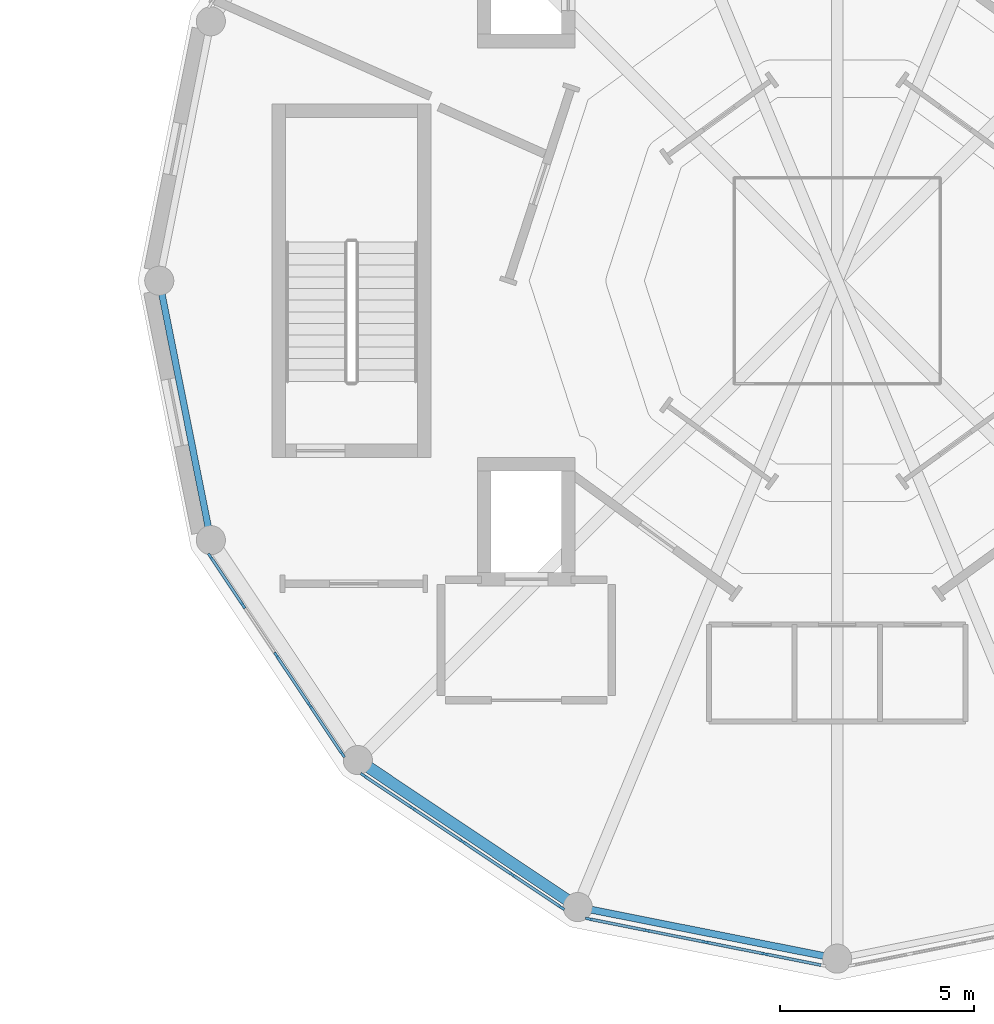
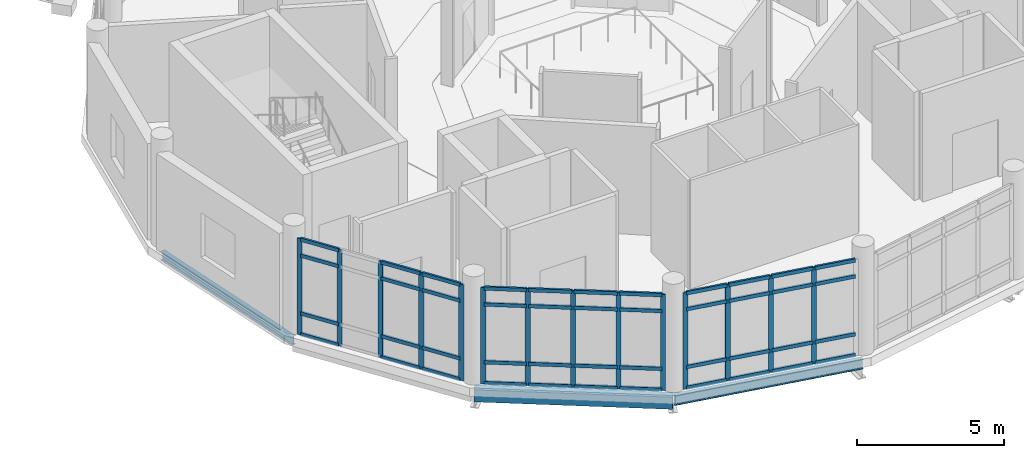
# One storey, part 5 of 27: 58 members, 3 beams, 3 elements without a shape of their own.
"""IFC4 building model written with IfcOpenShell, lengths in metres."""

from ifc_helpers import new_model, si_unit, direction, frame, origin, origin_2d, place, context, subcontext, project, spatial, rectangle, i_section, extrude, material, material_profile, profile_set, type_object, element, aggregate, save


model = new_model("IFC4")

# Units and contexts
model_context = context("Model", 3, precision=1e-05, world=origin(), true_north=direction((0.0, 1.0)))
body_context = subcontext(model_context, "Body", "Model", "MODEL_VIEW")
ifc_project = project(units=[si_unit("LENGTHUNIT", "METRE"), si_unit("AREAUNIT", "SQUARE_METRE"), si_unit("VOLUMEUNIT", "CUBIC_METRE"), si_unit("PLANEANGLEUNIT", "RADIAN"), si_unit("MASSUNIT", "GRAM", prefix="KILO")], contexts=[model_context])

# Site, building, storey
site_placement = place(None, origin())
site = spatial("IfcSite", under=ifc_project, at=site_placement, CompositionType="ELEMENT")
building_placement = place(site_placement, origin())
building = spatial("IfcBuilding", under=site, at=building_placement, Name="Soyqirgoq Riverine Aquarium", CompositionType="ELEMENT")
storey_placement = place(building_placement, frame((0.0, 0.0, 19.800048828125)))
storey = spatial("IfcBuildingStorey", under=building, at=storey_placement, Name="L05", CompositionType="ELEMENT", Elevation=19.800048828125)

# Curtain wall, members
ifc_material_1 = material(Name="Anodised aluminium thermally broken triple low-E glazing", Category="aluminium")
curtain_wall_type = type_object("IfcCurtainWallType", Name="CW_DrumGallery_Unitised", PredefinedType="NOTDEFINED", material=ifc_material_1)
curtain_wall_1_placement = place(storey_placement, origin())
curtain_wall_1 = element("IfcCurtainWall", 1, at=curtain_wall_1_placement, inside=storey, type_object=curtain_wall_type, Name="V1 L05 Curtain Wall 038", PredefinedType="NOTDEFINED")
ifc_material_2 = material(Name="Anodised aluminium 6063-T6", Category="aluminium")
ifc_material_profile_1 = material_profile(ifc_material_2, rectangle(XDim=0.06494140625, YDim=0.179931640625, at=origin_2d()), Name="ALU-M 65x180")
ifc_profile_set_1 = profile_set([ifc_material_profile_1], Name="Anodised aluminium 6063-T6")
member_type_1 = type_object("IfcMemberType", Name="CWMullion_65x180", PredefinedType="MULLION", material=ifc_profile_set_1)
member_1_placement = place(storey_placement, frame((39.8642578125, 49.90185546875, 0.0), z_axis=(0.0, 0.0, 1.0), x_axis=(0.831475717779, 0.55556109542, 0.0)))
member_1 = element("IfcMember", 2, at=member_1_placement, type_object=member_type_1, Name="CW-01 mullion 1", PredefinedType="MULLION", context=body_context, shape_type="SweptSolid", body=[
    extrude(rectangle(XDim=0.06494140625, YDim=0.179931640625, at=origin_2d()), origin(), (0.0, 0.0, 1.0), 4.0),
])
member_2_placement = place(storey_placement, frame((40.7060546875, 48.64208984375, 0.0), z_axis=(0.0, 0.0, 1.0), x_axis=(0.831475717779, 0.55556109542, 0.0)))
member_2 = element("IfcMember", 3, at=member_2_placement, type_object=member_type_1, Name="CW-01 mullion 2", PredefinedType="MULLION", context=body_context, shape_type="SweptSolid", body=[
    extrude(rectangle(XDim=0.06494140625, YDim=0.179931640625, at=origin_2d()), origin(), (0.0, 0.0, 1.0), 4.0),
])
member_3_placement = place(storey_placement, frame((41.565673828125, 47.35546875, 0.0), z_axis=(0.0, 0.0, 1.0), x_axis=(0.831475717779, 0.55556109542, 0.0)))
member_3 = element("IfcMember", 4, at=member_3_placement, type_object=member_type_1, Name="CW-01 mullion 3", PredefinedType="MULLION", context=body_context, shape_type="SweptSolid", body=[
    extrude(rectangle(XDim=0.06494140625, YDim=0.179931640625, at=origin_2d()), origin(), (0.0, 0.0, 1.0), 4.0),
])
member_4_placement = place(storey_placement, frame((42.425537109375, 46.068603515625, 0.0), z_axis=(0.0, 0.0, 1.0), x_axis=(0.831475717779, 0.55556109542, 0.0)))
member_4 = element("IfcMember", 5, at=member_4_placement, type_object=member_type_1, Name="CW-01 mullion 4", PredefinedType="MULLION", context=body_context, shape_type="SweptSolid", body=[
    extrude(rectangle(XDim=0.06494140625, YDim=0.179931640625, at=origin_2d()), origin(), (0.0, 0.0, 1.0), 4.0),
])
member_5_placement = place(storey_placement, frame((43.26708984375, 44.80908203125, 0.0), z_axis=(0.0, 0.0, 1.0), x_axis=(0.831475717779, 0.55556109542, 0.0)))
member_5 = element("IfcMember", 6, at=member_5_placement, type_object=member_type_1, Name="CW-01 mullion 5", PredefinedType="MULLION", context=body_context, shape_type="SweptSolid", body=[
    extrude(rectangle(XDim=0.06494140625, YDim=0.179931640625, at=origin_2d()), origin(), (0.0, 0.0, 1.0), 4.0),
])

curtain_wall_2_placement = place(storey_placement, origin())
curtain_wall_2 = element("IfcCurtainWall", 7, at=curtain_wall_2_placement, inside=storey, type_object=curtain_wall_type, Name="V1 L05 Curtain Wall 045", PredefinedType="NOTDEFINED")
member_6_placement = place(storey_placement, frame((43.80908203125, 44.26708984375, 0.0), z_axis=(0.0, 0.0, 1.0), x_axis=(0.55556109542, 0.831475717779, 0.0)))
member_6 = element("IfcMember", 8, at=member_6_placement, type_object=member_type_1, Name="CW-01 mullion 1", PredefinedType="MULLION", context=body_context, shape_type="SweptSolid", body=[
    extrude(rectangle(XDim=0.06494140625, YDim=0.179931640625, at=origin_2d()), origin(), (0.0, 0.0, 1.0), 4.0),
])
member_7_placement = place(storey_placement, frame((45.068603515625, 43.425537109375, 0.0), z_axis=(0.0, 0.0, 1.0), x_axis=(0.55556109542, 0.831475717779, 0.0)))
member_7 = element("IfcMember", 9, at=member_7_placement, type_object=member_type_1, Name="CW-01 mullion 2", PredefinedType="MULLION", context=body_context, shape_type="SweptSolid", body=[
    extrude(rectangle(XDim=0.06494140625, YDim=0.179931640625, at=origin_2d()), origin(), (0.0, 0.0, 1.0), 4.0),
])
member_8_placement = place(storey_placement, frame((46.35546875, 42.565673828125, 0.0), z_axis=(0.0, 0.0, 1.0), x_axis=(0.55556109542, 0.831475717779, 0.0)))
member_8 = element("IfcMember", 10, at=member_8_placement, type_object=member_type_1, Name="CW-01 mullion 3", PredefinedType="MULLION", context=body_context, shape_type="SweptSolid", body=[
    extrude(rectangle(XDim=0.06494140625, YDim=0.179931640625, at=origin_2d()), origin(), (0.0, 0.0, 1.0), 4.0),
])
member_9_placement = place(storey_placement, frame((47.64208984375, 41.7060546875, 0.0), z_axis=(0.0, 0.0, 1.0), x_axis=(0.55556109542, 0.831475717779, 0.0)))
member_9 = element("IfcMember", 11, at=member_9_placement, type_object=member_type_1, Name="CW-01 mullion 4", PredefinedType="MULLION", context=body_context, shape_type="SweptSolid", body=[
    extrude(rectangle(XDim=0.06494140625, YDim=0.179931640625, at=origin_2d()), origin(), (0.0, 0.0, 1.0), 4.0),
])
member_10_placement = place(storey_placement, frame((48.90185546875, 40.8642578125, 0.0), z_axis=(0.0, 0.0, 1.0), x_axis=(0.55556109542, 0.831475717779, 0.0)))
member_10 = element("IfcMember", 12, at=member_10_placement, type_object=member_type_1, Name="CW-01 mullion 5", PredefinedType="MULLION", context=body_context, shape_type="SweptSolid", body=[
    extrude(rectangle(XDim=0.06494140625, YDim=0.179931640625, at=origin_2d()), origin(), (0.0, 0.0, 1.0), 4.0),
])

curtain_wall_3_placement = place(storey_placement, origin())
curtain_wall_3 = element("IfcCurtainWall", 13, at=curtain_wall_3_placement, inside=storey, type_object=curtain_wall_type, Name="V1 L05 Curtain Wall 052", PredefinedType="NOTDEFINED")
member_11_placement = place(storey_placement, frame((49.609619140625, 40.571044921875, 0.0), z_axis=(0.0, 0.0, 1.0), x_axis=(0.19507834152, 0.980787663396, 0.0)))
member_11 = element("IfcMember", 14, at=member_11_placement, type_object=member_type_1, Name="CW-01 mullion 1", PredefinedType="MULLION", context=body_context, shape_type="SweptSolid", body=[
    extrude(rectangle(XDim=0.06494140625, YDim=0.179931640625, at=origin_2d()), origin(), (0.0, 0.0, 1.0), 4.0),
])
member_12_placement = place(storey_placement, frame((51.095458984375, 40.275634765625, 0.0), z_axis=(0.0, 0.0, 1.0), x_axis=(0.19507834152, 0.980787663396, 0.0)))
member_12 = element("IfcMember", 15, at=member_12_placement, type_object=member_type_1, Name="CW-01 mullion 2", PredefinedType="MULLION", context=body_context, shape_type="SweptSolid", body=[
    extrude(rectangle(XDim=0.06494140625, YDim=0.179931640625, at=origin_2d()), origin(), (0.0, 0.0, 1.0), 4.0),
])
member_13_placement = place(storey_placement, frame((52.61328125, 39.9736328125, 0.0), z_axis=(0.0, 0.0, 1.0), x_axis=(0.19507834152, 0.980787663396, 0.0)))
member_13 = element("IfcMember", 16, at=member_13_placement, type_object=member_type_1, Name="CW-01 mullion 3", PredefinedType="MULLION", context=body_context, shape_type="SweptSolid", body=[
    extrude(rectangle(XDim=0.06494140625, YDim=0.179931640625, at=origin_2d()), origin(), (0.0, 0.0, 1.0), 4.0),
])
member_14_placement = place(storey_placement, frame((54.130859375, 39.671875, 0.0), z_axis=(0.0, 0.0, 1.0), x_axis=(0.19507834152, 0.980787663396, 0.0)))
member_14 = element("IfcMember", 17, at=member_14_placement, type_object=member_type_1, Name="CW-01 mullion 4", PredefinedType="MULLION", context=body_context, shape_type="SweptSolid", body=[
    extrude(rectangle(XDim=0.06494140625, YDim=0.179931640625, at=origin_2d()), origin(), (0.0, 0.0, 1.0), 4.0),
])

# Member
ifc_material_3 = material(Name="Anodised aluminium 6063-T6", Category="aluminium")
ifc_material_profile_2 = material_profile(ifc_material_3, rectangle(XDim=0.074951171875, YDim=0.14990234375, at=origin_2d()), Name="ALU-T 75x150")
ifc_profile_set_2 = profile_set([ifc_material_profile_2], Name="Anodised aluminium 6063-T6")
member_type_2 = type_object("IfcMemberType", Name="CWTransom_75x150", PredefinedType="USERDEFINED", material=ifc_profile_set_2)
member_15_placement = place(storey_placement, frame((39.88232421875, 49.874755859375, 0.037353515625), z_axis=(0.555632377709, -0.831428085189, 0.0), x_axis=(0.831428085189, 0.555632377709, 0.0)))
member_15 = element("IfcMember", 18, at=member_15_placement, type_object=member_type_2, Name="CW-01 transom 1.1", ObjectType="TRANSOM", PredefinedType="USERDEFINED", context=body_context, shape_type="SweptSolid", body=[
    extrude(rectangle(XDim=0.074951171875, YDim=0.14990234375, at=origin_2d()), origin(), (0.0, 0.0, 1.0), 1.449951171875),
])

member_16_placement = place(storey_placement, frame((39.88232421875, 49.874755859375, 0.89990234375), z_axis=(0.555632377709, -0.831428085189, 0.0), x_axis=(0.831428085189, 0.555632377709, 0.0)))
member_16 = element("IfcMember", 19, at=member_16_placement, type_object=member_type_2, Name="CW-01 transom 1.2", ObjectType="TRANSOM", PredefinedType="USERDEFINED", context=body_context, shape_type="SweptSolid", body=[
    extrude(rectangle(XDim=0.074951171875, YDim=0.14990234375, at=origin_2d()), origin(), (0.0, 0.0, 1.0), 1.449951171875),
])

member_17_placement = place(storey_placement, frame((39.88232421875, 49.874755859375, 3.300048828125), z_axis=(0.555632377709, -0.831428085189, 0.0), x_axis=(0.831428085189, 0.555632377709, 0.0)))
member_17 = element("IfcMember", 20, at=member_17_placement, type_object=member_type_2, Name="CW-01 transom 1.3", ObjectType="TRANSOM", PredefinedType="USERDEFINED", context=body_context, shape_type="SweptSolid", body=[
    extrude(rectangle(XDim=0.074951171875, YDim=0.14990234375, at=origin_2d()), origin(), (0.0, 0.0, 1.0), 1.449951171875),
])

member_18_placement = place(storey_placement, frame((39.88232421875, 49.874755859375, 3.96240234375), z_axis=(0.555632377709, -0.831428085189, 0.0), x_axis=(0.831428085189, 0.555632377709, 0.0)))
member_18 = element("IfcMember", 21, at=member_18_placement, type_object=member_type_2, Name="CW-01 transom 1.4", ObjectType="TRANSOM", PredefinedType="USERDEFINED", context=body_context, shape_type="SweptSolid", body=[
    extrude(rectangle(XDim=0.074951171875, YDim=0.14990234375, at=origin_2d()), origin(), (0.0, 0.0, 1.0), 1.449951171875),
])

member_19_placement = place(storey_placement, frame((41.583740234375, 47.328369140625, 0.037353515625), z_axis=(0.555611906603, -0.831441765394, 0.0), x_axis=(0.831441765394, 0.555611906603, 0.0)))
member_19 = element("IfcMember", 22, at=member_19_placement, type_object=member_type_2, Name="CW-01 transom 3.1", ObjectType="TRANSOM", PredefinedType="USERDEFINED", context=body_context, shape_type="SweptSolid", body=[
    extrude(rectangle(XDim=0.074951171875, YDim=0.14990234375, at=origin_2d()), origin(), (0.0, 0.0, 1.0), 1.482666015625),
])

member_20_placement = place(storey_placement, frame((41.583740234375, 47.328369140625, 0.89990234375), z_axis=(0.555611906603, -0.831441765394, 0.0), x_axis=(0.831441765394, 0.555611906603, 0.0)))
member_20 = element("IfcMember", 23, at=member_20_placement, type_object=member_type_2, Name="CW-01 transom 3.2", ObjectType="TRANSOM", PredefinedType="USERDEFINED", context=body_context, shape_type="SweptSolid", body=[
    extrude(rectangle(XDim=0.074951171875, YDim=0.14990234375, at=origin_2d()), origin(), (0.0, 0.0, 1.0), 1.482666015625),
])

member_21_placement = place(storey_placement, frame((41.583740234375, 47.328369140625, 3.300048828125), z_axis=(0.555611906603, -0.831441765394, 0.0), x_axis=(0.831441765394, 0.555611906603, 0.0)))
member_21 = element("IfcMember", 24, at=member_21_placement, type_object=member_type_2, Name="CW-01 transom 3.3", ObjectType="TRANSOM", PredefinedType="USERDEFINED", context=body_context, shape_type="SweptSolid", body=[
    extrude(rectangle(XDim=0.074951171875, YDim=0.14990234375, at=origin_2d()), origin(), (0.0, 0.0, 1.0), 1.482666015625),
])

member_22_placement = place(storey_placement, frame((41.583740234375, 47.328369140625, 3.96240234375), z_axis=(0.555611906603, -0.831441765394, 0.0), x_axis=(0.831441765394, 0.555611906603, 0.0)))
member_22 = element("IfcMember", 25, at=member_22_placement, type_object=member_type_2, Name="CW-01 transom 3.4", ObjectType="TRANSOM", PredefinedType="USERDEFINED", context=body_context, shape_type="SweptSolid", body=[
    extrude(rectangle(XDim=0.074951171875, YDim=0.14990234375, at=origin_2d()), origin(), (0.0, 0.0, 1.0), 1.482666015625),
])

member_23_placement = place(storey_placement, frame((42.443603515625, 46.041748046875, 0.037353515625), z_axis=(0.555438196411, -0.831557821181, 0.0), x_axis=(0.831557821181, 0.555438196411, 0.0)))
member_23 = element("IfcMember", 26, at=member_23_placement, type_object=member_type_2, Name="CW-01 transom 4.1", ObjectType="TRANSOM", PredefinedType="USERDEFINED", context=body_context, shape_type="SweptSolid", body=[
    extrude(rectangle(XDim=0.074951171875, YDim=0.14990234375, at=origin_2d()), origin(), (0.0, 0.0, 1.0), 1.449951171875),
])

member_24_placement = place(storey_placement, frame((42.443603515625, 46.041748046875, 0.89990234375), z_axis=(0.555438196411, -0.831557821181, 0.0), x_axis=(0.831557821181, 0.555438196411, 0.0)))
member_24 = element("IfcMember", 27, at=member_24_placement, type_object=member_type_2, Name="CW-01 transom 4.2", ObjectType="TRANSOM", PredefinedType="USERDEFINED", context=body_context, shape_type="SweptSolid", body=[
    extrude(rectangle(XDim=0.074951171875, YDim=0.14990234375, at=origin_2d()), origin(), (0.0, 0.0, 1.0), 1.449951171875),
])

member_25_placement = place(storey_placement, frame((42.443603515625, 46.041748046875, 3.300048828125), z_axis=(0.555438196411, -0.831557821181, 0.0), x_axis=(0.831557821181, 0.555438196411, 0.0)))
member_25 = element("IfcMember", 28, at=member_25_placement, type_object=member_type_2, Name="CW-01 transom 4.3", ObjectType="TRANSOM", PredefinedType="USERDEFINED", context=body_context, shape_type="SweptSolid", body=[
    extrude(rectangle(XDim=0.074951171875, YDim=0.14990234375, at=origin_2d()), origin(), (0.0, 0.0, 1.0), 1.449951171875),
])

member_26_placement = place(storey_placement, frame((42.443603515625, 46.041748046875, 3.96240234375), z_axis=(0.555438196411, -0.831557821181, 0.0), x_axis=(0.831557821181, 0.555438196411, 0.0)))
member_26 = element("IfcMember", 29, at=member_26_placement, type_object=member_type_2, Name="CW-01 transom 4.4", ObjectType="TRANSOM", PredefinedType="USERDEFINED", context=body_context, shape_type="SweptSolid", body=[
    extrude(rectangle(XDim=0.074951171875, YDim=0.14990234375, at=origin_2d()), origin(), (0.0, 0.0, 1.0), 1.449951171875),
])

aggregate(curtain_wall_1, [member_1, member_2, member_3, member_4, member_5, member_15, member_16, member_17, member_18, member_19, member_20, member_21, member_22, member_23, member_24, member_25, member_26])

member_27_placement = place(storey_placement, frame((43.8359375, 44.2490234375, 0.037353515625), z_axis=(0.831557821181, -0.555438196411, 0.0), x_axis=(0.555438196411, 0.831557821181, 0.0)))
member_27 = element("IfcMember", 30, at=member_27_placement, type_object=member_type_2, Name="CW-01 transom 1.1", ObjectType="TRANSOM", PredefinedType="USERDEFINED", context=body_context, shape_type="SweptSolid", body=[
    extrude(rectangle(XDim=0.074951171875, YDim=0.14990234375, at=origin_2d()), origin(), (0.0, 0.0, 1.0), 1.449951171875),
])

member_28_placement = place(storey_placement, frame((43.8359375, 44.2490234375, 0.89990234375), z_axis=(0.831557821181, -0.555438196411, 0.0), x_axis=(0.555438196411, 0.831557821181, 0.0)))
member_28 = element("IfcMember", 31, at=member_28_placement, type_object=member_type_2, Name="CW-01 transom 1.2", ObjectType="TRANSOM", PredefinedType="USERDEFINED", context=body_context, shape_type="SweptSolid", body=[
    extrude(rectangle(XDim=0.074951171875, YDim=0.14990234375, at=origin_2d()), origin(), (0.0, 0.0, 1.0), 1.449951171875),
])

member_29_placement = place(storey_placement, frame((43.8359375, 44.2490234375, 3.300048828125), z_axis=(0.831557821181, -0.555438196411, 0.0), x_axis=(0.555438196411, 0.831557821181, 0.0)))
member_29 = element("IfcMember", 32, at=member_29_placement, type_object=member_type_2, Name="CW-01 transom 1.3", ObjectType="TRANSOM", PredefinedType="USERDEFINED", context=body_context, shape_type="SweptSolid", body=[
    extrude(rectangle(XDim=0.074951171875, YDim=0.14990234375, at=origin_2d()), origin(), (0.0, 0.0, 1.0), 1.449951171875),
])

member_30_placement = place(storey_placement, frame((43.8359375, 44.2490234375, 3.96240234375), z_axis=(0.831557821181, -0.555438196411, 0.0), x_axis=(0.555438196411, 0.831557821181, 0.0)))
member_30 = element("IfcMember", 33, at=member_30_placement, type_object=member_type_2, Name="CW-01 transom 1.4", ObjectType="TRANSOM", PredefinedType="USERDEFINED", context=body_context, shape_type="SweptSolid", body=[
    extrude(rectangle(XDim=0.074951171875, YDim=0.14990234375, at=origin_2d()), origin(), (0.0, 0.0, 1.0), 1.449951171875),
])

member_31_placement = place(storey_placement, frame((45.095703125, 43.407470703125, 0.037353515625), z_axis=(0.831441765394, -0.555611906603, 0.0), x_axis=(0.555611906603, 0.831441765394, 0.0)))
member_31 = element("IfcMember", 34, at=member_31_placement, type_object=member_type_2, Name="CW-01 transom 2.1", ObjectType="TRANSOM", PredefinedType="USERDEFINED", context=body_context, shape_type="SweptSolid", body=[
    extrude(rectangle(XDim=0.074951171875, YDim=0.14990234375, at=origin_2d()), origin(), (0.0, 0.0, 1.0), 1.482666015625),
])

member_32_placement = place(storey_placement, frame((45.095703125, 43.407470703125, 0.89990234375), z_axis=(0.831441765394, -0.555611906603, 0.0), x_axis=(0.555611906603, 0.831441765394, 0.0)))
member_32 = element("IfcMember", 35, at=member_32_placement, type_object=member_type_2, Name="CW-01 transom 2.2", ObjectType="TRANSOM", PredefinedType="USERDEFINED", context=body_context, shape_type="SweptSolid", body=[
    extrude(rectangle(XDim=0.074951171875, YDim=0.14990234375, at=origin_2d()), origin(), (0.0, 0.0, 1.0), 1.482666015625),
])

member_33_placement = place(storey_placement, frame((45.095703125, 43.407470703125, 3.300048828125), z_axis=(0.831441765394, -0.555611906603, 0.0), x_axis=(0.555611906603, 0.831441765394, 0.0)))
member_33 = element("IfcMember", 36, at=member_33_placement, type_object=member_type_2, Name="CW-01 transom 2.3", ObjectType="TRANSOM", PredefinedType="USERDEFINED", context=body_context, shape_type="SweptSolid", body=[
    extrude(rectangle(XDim=0.074951171875, YDim=0.14990234375, at=origin_2d()), origin(), (0.0, 0.0, 1.0), 1.482666015625),
])

member_34_placement = place(storey_placement, frame((45.095703125, 43.407470703125, 3.96240234375), z_axis=(0.831441765394, -0.555611906603, 0.0), x_axis=(0.555611906603, 0.831441765394, 0.0)))
member_34 = element("IfcMember", 37, at=member_34_placement, type_object=member_type_2, Name="CW-01 transom 2.4", ObjectType="TRANSOM", PredefinedType="USERDEFINED", context=body_context, shape_type="SweptSolid", body=[
    extrude(rectangle(XDim=0.074951171875, YDim=0.14990234375, at=origin_2d()), origin(), (0.0, 0.0, 1.0), 1.482666015625),
])

member_35_placement = place(storey_placement, frame((46.38232421875, 42.547607421875, 0.037353515625), z_axis=(0.831517837437, -0.555498052223, 0.0), x_axis=(0.555498052223, 0.831517837437, 0.0)))
member_35 = element("IfcMember", 38, at=member_35_placement, type_object=member_type_2, Name="CW-01 transom 3.1", ObjectType="TRANSOM", PredefinedType="USERDEFINED", context=body_context, shape_type="SweptSolid", body=[
    extrude(rectangle(XDim=0.074951171875, YDim=0.14990234375, at=origin_2d()), origin(), (0.0, 0.0, 1.0), 1.482421875),
])

member_36_placement = place(storey_placement, frame((46.38232421875, 42.547607421875, 0.89990234375), z_axis=(0.831517837437, -0.555498052223, 0.0), x_axis=(0.555498052223, 0.831517837437, 0.0)))
member_36 = element("IfcMember", 39, at=member_36_placement, type_object=member_type_2, Name="CW-01 transom 3.2", ObjectType="TRANSOM", PredefinedType="USERDEFINED", context=body_context, shape_type="SweptSolid", body=[
    extrude(rectangle(XDim=0.074951171875, YDim=0.14990234375, at=origin_2d()), origin(), (0.0, 0.0, 1.0), 1.482421875),
])

member_37_placement = place(storey_placement, frame((46.38232421875, 42.547607421875, 3.300048828125), z_axis=(0.831517837437, -0.555498052223, 0.0), x_axis=(0.555498052223, 0.831517837437, 0.0)))
member_37 = element("IfcMember", 40, at=member_37_placement, type_object=member_type_2, Name="CW-01 transom 3.3", ObjectType="TRANSOM", PredefinedType="USERDEFINED", context=body_context, shape_type="SweptSolid", body=[
    extrude(rectangle(XDim=0.074951171875, YDim=0.14990234375, at=origin_2d()), origin(), (0.0, 0.0, 1.0), 1.482421875),
])

member_38_placement = place(storey_placement, frame((46.38232421875, 42.547607421875, 3.96240234375), z_axis=(0.831517837437, -0.555498052223, 0.0), x_axis=(0.555498052223, 0.831517837437, 0.0)))
member_38 = element("IfcMember", 41, at=member_38_placement, type_object=member_type_2, Name="CW-01 transom 3.4", ObjectType="TRANSOM", PredefinedType="USERDEFINED", context=body_context, shape_type="SweptSolid", body=[
    extrude(rectangle(XDim=0.074951171875, YDim=0.14990234375, at=origin_2d()), origin(), (0.0, 0.0, 1.0), 1.482421875),
])

member_39_placement = place(storey_placement, frame((47.669189453125, 41.68798828125, 0.037353515625), z_axis=(0.831428085189, -0.555632377709, 0.0), x_axis=(0.555632377709, 0.831428085189, 0.0)))
member_39 = element("IfcMember", 42, at=member_39_placement, type_object=member_type_2, Name="CW-01 transom 4.1", ObjectType="TRANSOM", PredefinedType="USERDEFINED", context=body_context, shape_type="SweptSolid", body=[
    extrude(rectangle(XDim=0.074951171875, YDim=0.14990234375, at=origin_2d()), origin(), (0.0, 0.0, 1.0), 1.449951171875),
])

member_40_placement = place(storey_placement, frame((47.669189453125, 41.68798828125, 0.89990234375), z_axis=(0.831428085189, -0.555632377709, 0.0), x_axis=(0.555632377709, 0.831428085189, 0.0)))
member_40 = element("IfcMember", 43, at=member_40_placement, type_object=member_type_2, Name="CW-01 transom 4.2", ObjectType="TRANSOM", PredefinedType="USERDEFINED", context=body_context, shape_type="SweptSolid", body=[
    extrude(rectangle(XDim=0.074951171875, YDim=0.14990234375, at=origin_2d()), origin(), (0.0, 0.0, 1.0), 1.449951171875),
])

member_41_placement = place(storey_placement, frame((47.669189453125, 41.68798828125, 3.300048828125), z_axis=(0.831428085189, -0.555632377709, 0.0), x_axis=(0.555632377709, 0.831428085189, 0.0)))
member_41 = element("IfcMember", 44, at=member_41_placement, type_object=member_type_2, Name="CW-01 transom 4.3", ObjectType="TRANSOM", PredefinedType="USERDEFINED", context=body_context, shape_type="SweptSolid", body=[
    extrude(rectangle(XDim=0.074951171875, YDim=0.14990234375, at=origin_2d()), origin(), (0.0, 0.0, 1.0), 1.449951171875),
])

member_42_placement = place(storey_placement, frame((47.669189453125, 41.68798828125, 3.96240234375), z_axis=(0.831428085189, -0.555632377709, 0.0), x_axis=(0.555632377709, 0.831428085189, 0.0)))
member_42 = element("IfcMember", 45, at=member_42_placement, type_object=member_type_2, Name="CW-01 transom 4.4", ObjectType="TRANSOM", PredefinedType="USERDEFINED", context=body_context, shape_type="SweptSolid", body=[
    extrude(rectangle(XDim=0.074951171875, YDim=0.14990234375, at=origin_2d()), origin(), (0.0, 0.0, 1.0), 1.449951171875),
])

aggregate(curtain_wall_2, [member_6, member_7, member_8, member_9, member_10, member_27, member_28, member_29, member_30, member_31, member_32, member_33, member_34, member_35, member_36, member_37, member_38, member_39, member_40, member_41, member_42])

member_43_placement = place(storey_placement, frame((49.6416015625, 40.564697265625, 0.037353515625), z_axis=(0.980806684576, -0.194982685105, 0.0), x_axis=(0.194982685105, 0.980806684576, 0.0)))
member_43 = element("IfcMember", 46, at=member_43_placement, type_object=member_type_2, Name="CW-01 transom 1.1", ObjectType="TRANSOM", PredefinedType="USERDEFINED", context=body_context, shape_type="SweptSolid", body=[
    extrude(rectangle(XDim=0.074951171875, YDim=0.14990234375, at=origin_2d()), origin(), (0.0, 0.0, 1.0), 1.449951171875),
])

member_44_placement = place(storey_placement, frame((49.6416015625, 40.564697265625, 0.89990234375), z_axis=(0.980806684576, -0.194982685105, 0.0), x_axis=(0.194982685105, 0.980806684576, 0.0)))
member_44 = element("IfcMember", 47, at=member_44_placement, type_object=member_type_2, Name="CW-01 transom 1.2", ObjectType="TRANSOM", PredefinedType="USERDEFINED", context=body_context, shape_type="SweptSolid", body=[
    extrude(rectangle(XDim=0.074951171875, YDim=0.14990234375, at=origin_2d()), origin(), (0.0, 0.0, 1.0), 1.449951171875),
])

member_45_placement = place(storey_placement, frame((49.6416015625, 40.564697265625, 3.300048828125), z_axis=(0.980806684576, -0.194982685105, 0.0), x_axis=(0.194982685105, 0.980806684576, 0.0)))
member_45 = element("IfcMember", 48, at=member_45_placement, type_object=member_type_2, Name="CW-01 transom 1.3", ObjectType="TRANSOM", PredefinedType="USERDEFINED", context=body_context, shape_type="SweptSolid", body=[
    extrude(rectangle(XDim=0.074951171875, YDim=0.14990234375, at=origin_2d()), origin(), (0.0, 0.0, 1.0), 1.449951171875),
])

member_46_placement = place(storey_placement, frame((49.6416015625, 40.564697265625, 3.96240234375), z_axis=(0.980806684576, -0.194982685105, 0.0), x_axis=(0.194982685105, 0.980806684576, 0.0)))
member_46 = element("IfcMember", 49, at=member_46_placement, type_object=member_type_2, Name="CW-01 transom 1.4", ObjectType="TRANSOM", PredefinedType="USERDEFINED", context=body_context, shape_type="SweptSolid", body=[
    extrude(rectangle(XDim=0.074951171875, YDim=0.14990234375, at=origin_2d()), origin(), (0.0, 0.0, 1.0), 1.449951171875),
])

member_47_placement = place(storey_placement, frame((51.12744140625, 40.269287109375, 0.037353515625), z_axis=(0.980770250261, -0.19516586844, 0.0), x_axis=(0.19516586844, 0.980770250261, 0.0)))
member_47 = element("IfcMember", 50, at=member_47_placement, type_object=member_type_2, Name="CW-01 transom 2.1", ObjectType="TRANSOM", PredefinedType="USERDEFINED", context=body_context, shape_type="SweptSolid", body=[
    extrude(rectangle(XDim=0.074951171875, YDim=0.14990234375, at=origin_2d()), origin(), (0.0, 0.0, 1.0), 1.482421875),
])

member_48_placement = place(storey_placement, frame((51.12744140625, 40.269287109375, 0.89990234375), z_axis=(0.980770250261, -0.19516586844, 0.0), x_axis=(0.19516586844, 0.980770250261, 0.0)))
member_48 = element("IfcMember", 51, at=member_48_placement, type_object=member_type_2, Name="CW-01 transom 2.2", ObjectType="TRANSOM", PredefinedType="USERDEFINED", context=body_context, shape_type="SweptSolid", body=[
    extrude(rectangle(XDim=0.074951171875, YDim=0.14990234375, at=origin_2d()), origin(), (0.0, 0.0, 1.0), 1.482421875),
])

member_49_placement = place(storey_placement, frame((51.12744140625, 40.269287109375, 3.300048828125), z_axis=(0.980770250261, -0.19516586844, 0.0), x_axis=(0.19516586844, 0.980770250261, 0.0)))
member_49 = element("IfcMember", 52, at=member_49_placement, type_object=member_type_2, Name="CW-01 transom 2.3", ObjectType="TRANSOM", PredefinedType="USERDEFINED", context=body_context, shape_type="SweptSolid", body=[
    extrude(rectangle(XDim=0.074951171875, YDim=0.14990234375, at=origin_2d()), origin(), (0.0, 0.0, 1.0), 1.482421875),
])

member_50_placement = place(storey_placement, frame((51.12744140625, 40.269287109375, 3.96240234375), z_axis=(0.980770250261, -0.19516586844, 0.0), x_axis=(0.19516586844, 0.980770250261, 0.0)))
member_50 = element("IfcMember", 53, at=member_50_placement, type_object=member_type_2, Name="CW-01 transom 2.4", ObjectType="TRANSOM", PredefinedType="USERDEFINED", context=body_context, shape_type="SweptSolid", body=[
    extrude(rectangle(XDim=0.074951171875, YDim=0.14990234375, at=origin_2d()), origin(), (0.0, 0.0, 1.0), 1.482421875),
])

member_51_placement = place(storey_placement, frame((52.64501953125, 39.96728515625, 0.037353515625), z_axis=(0.980808025355, -0.194975940567, 0.0), x_axis=(0.194975940567, 0.980808025355, 0.0)))
member_51 = element("IfcMember", 54, at=member_51_placement, type_object=member_type_2, Name="CW-01 transom 3.1", ObjectType="TRANSOM", PredefinedType="USERDEFINED", context=body_context, shape_type="SweptSolid", body=[
    extrude(rectangle(XDim=0.074951171875, YDim=0.14990234375, at=origin_2d()), origin(), (0.0, 0.0, 1.0), 1.482666015625),
])

member_52_placement = place(storey_placement, frame((52.64501953125, 39.96728515625, 0.89990234375), z_axis=(0.980808025355, -0.194975940567, 0.0), x_axis=(0.194975940567, 0.980808025355, 0.0)))
member_52 = element("IfcMember", 55, at=member_52_placement, type_object=member_type_2, Name="CW-01 transom 3.2", ObjectType="TRANSOM", PredefinedType="USERDEFINED", context=body_context, shape_type="SweptSolid", body=[
    extrude(rectangle(XDim=0.074951171875, YDim=0.14990234375, at=origin_2d()), origin(), (0.0, 0.0, 1.0), 1.482666015625),
])

member_53_placement = place(storey_placement, frame((52.64501953125, 39.96728515625, 3.300048828125), z_axis=(0.980808025355, -0.194975940567, 0.0), x_axis=(0.194975940567, 0.980808025355, 0.0)))
member_53 = element("IfcMember", 56, at=member_53_placement, type_object=member_type_2, Name="CW-01 transom 3.3", ObjectType="TRANSOM", PredefinedType="USERDEFINED", context=body_context, shape_type="SweptSolid", body=[
    extrude(rectangle(XDim=0.074951171875, YDim=0.14990234375, at=origin_2d()), origin(), (0.0, 0.0, 1.0), 1.482666015625),
])

member_54_placement = place(storey_placement, frame((52.64501953125, 39.96728515625, 3.96240234375), z_axis=(0.980808025355, -0.194975940567, 0.0), x_axis=(0.194975940567, 0.980808025355, 0.0)))
member_54 = element("IfcMember", 57, at=member_54_placement, type_object=member_type_2, Name="CW-01 transom 3.4", ObjectType="TRANSOM", PredefinedType="USERDEFINED", context=body_context, shape_type="SweptSolid", body=[
    extrude(rectangle(XDim=0.074951171875, YDim=0.14990234375, at=origin_2d()), origin(), (0.0, 0.0, 1.0), 1.482666015625),
])

member_55_placement = place(storey_placement, frame((54.162841796875, 39.66552734375, 0.037353515625), z_axis=(0.980774471438, -0.195144654489, 0.0), x_axis=(0.195144654489, 0.980774471438, 0.0)))
member_55 = element("IfcMember", 58, at=member_55_placement, type_object=member_type_2, Name="CW-01 transom 4.1", ObjectType="TRANSOM", PredefinedType="USERDEFINED", context=body_context, shape_type="SweptSolid", body=[
    extrude(rectangle(XDim=0.074951171875, YDim=0.14990234375, at=origin_2d()), origin(), (0.0, 0.0, 1.0), 1.449951171875),
])

member_56_placement = place(storey_placement, frame((54.162841796875, 39.66552734375, 0.89990234375), z_axis=(0.980774471438, -0.195144654489, 0.0), x_axis=(0.195144654489, 0.980774471438, 0.0)))
member_56 = element("IfcMember", 59, at=member_56_placement, type_object=member_type_2, Name="CW-01 transom 4.2", ObjectType="TRANSOM", PredefinedType="USERDEFINED", context=body_context, shape_type="SweptSolid", body=[
    extrude(rectangle(XDim=0.074951171875, YDim=0.14990234375, at=origin_2d()), origin(), (0.0, 0.0, 1.0), 1.449951171875),
])

member_57_placement = place(storey_placement, frame((54.162841796875, 39.66552734375, 3.300048828125), z_axis=(0.980774471438, -0.195144654489, 0.0), x_axis=(0.195144654489, 0.980774471438, 0.0)))
member_57 = element("IfcMember", 60, at=member_57_placement, type_object=member_type_2, Name="CW-01 transom 4.3", ObjectType="TRANSOM", PredefinedType="USERDEFINED", context=body_context, shape_type="SweptSolid", body=[
    extrude(rectangle(XDim=0.074951171875, YDim=0.14990234375, at=origin_2d()), origin(), (0.0, 0.0, 1.0), 1.449951171875),
])

member_58_placement = place(storey_placement, frame((54.162841796875, 39.66552734375, 3.96240234375), z_axis=(0.980774471438, -0.195144654489, 0.0), x_axis=(0.195144654489, 0.980774471438, 0.0)))
member_58 = element("IfcMember", 61, at=member_58_placement, type_object=member_type_2, Name="CW-01 transom 4.4", ObjectType="TRANSOM", PredefinedType="USERDEFINED", context=body_context, shape_type="SweptSolid", body=[
    extrude(rectangle(XDim=0.074951171875, YDim=0.14990234375, at=origin_2d()), origin(), (0.0, 0.0, 1.0), 1.449951171875),
])

aggregate(curtain_wall_3, [member_11, member_12, member_13, member_14, member_43, member_44, member_45, member_46, member_47, member_48, member_49, member_50, member_51, member_52, member_53, member_54, member_55, member_56, member_57, member_58])

# Beams
ifc_material_4 = material(Name="Concrete C40/50", Category="concrete")
ifc_material_profile_3 = material_profile(ifc_material_4, rectangle(XDim=0.300048828125, YDim=0.5, at=origin_2d()), Name="RC 300x500")
ifc_profile_set_3 = profile_set([ifc_material_profile_3], Name="Concrete C40/50")
beam_type_1 = type_object("IfcBeamType", Name="Spandrel_RC_300x500", PredefinedType="SPANDREL", material=ifc_profile_set_3)
beam_1_placement = place(storey_placement, frame((43.677490234375, 44.64990234375, -0.60009765625), z_axis=(0.83147831173, -0.555557213186, 0.0), x_axis=(0.555557213186, 0.83147831173, 0.0)))
element("IfcBeam", 62, at=beam_1_placement, inside=storey, type_object=beam_type_1, Name="V1 L05 Drum Spandrel Beam 0132", PredefinedType="SPANDREL", context=body_context, shape_type="SweptSolid", body=[
    extrude(rectangle(XDim=0.300048828125, YDim=0.5, at=origin_2d()), origin(), (0.0, 0.0, 1.0), 6.768798828125),
])
ifc_material_5 = material(Name="Structural steel S355", Category="steel")
ifc_material_profile_4 = material_profile(ifc_material_5, i_section(OverallWidth=0.169921875, OverallDepth=0.360107421875, WebThickness=0.008056640625, FlangeThickness=0.0126953125, FilletRadius=0.01806640625, at=origin_2d()), Name="IPE 360")
ifc_profile_set_4 = profile_set([ifc_material_profile_4], Name="Structural steel S355")
beam_type_2 = type_object("IfcBeamType", Name="Spandrel_Steel_IPE360", PredefinedType="SPANDREL", material=ifc_profile_set_4)
beam_2_placement = place(storey_placement, frame((38.553955078125, 56.98046875, -0.530029296875), z_axis=(0.195096390568, -0.980784073274, 0.0), x_axis=(0.980784073274, 0.195096390568, 0.0)))
element("IfcBeam", 63, at=beam_2_placement, inside=storey, type_object=beam_type_2, Name="V1 L05 Drum Spandrel Beam 0130", PredefinedType="SPANDREL", context=body_context, shape_type="SweptSolid", body=[
    extrude(i_section(OverallWidth=0.169921875, OverallDepth=0.360107421875, WebThickness=0.008056640625, FlangeThickness=0.0126953125, FilletRadius=0.01806640625, at=origin_2d()), origin(), (0.0, 0.0, 1.0), 6.768798828125),
])
ifc_material_6 = material(Name="Structural steel S355", Category="steel")
ifc_material_profile_5 = material_profile(ifc_material_6, i_section(OverallWidth=0.179931640625, OverallDepth=0.39990234375, WebThickness=0.008544921875, FlangeThickness=0.013427734375, FilletRadius=0.02099609375, at=origin_2d()), Name="IPE 400")
ifc_profile_set_5 = profile_set([ifc_material_profile_5], Name="Structural steel S355")
beam_type_3 = type_object("IfcBeamType", Name="Spandrel_Steel_IPE400", PredefinedType="SPANDREL", material=ifc_profile_set_5)
beam_3_placement = place(storey_placement, frame((49.341796875, 40.87451171875, -0.550048828125), z_axis=(0.980784073274, -0.195096390568, 0.0), x_axis=(0.195096390568, 0.980784073274, 0.0)))
element("IfcBeam", 64, at=beam_3_placement, inside=storey, type_object=beam_type_3, Name="V1 L05 Drum Spandrel Beam 0133", PredefinedType="SPANDREL", context=body_context, shape_type="SweptSolid", body=[
    extrude(i_section(OverallWidth=0.179931640625, OverallDepth=0.39990234375, WebThickness=0.008544921875, FlangeThickness=0.013427734375, FilletRadius=0.02099609375, at=origin_2d()), origin(), (0.0, 0.0, 1.0), 6.768798828125),
])

save(model, "model.ifc")
